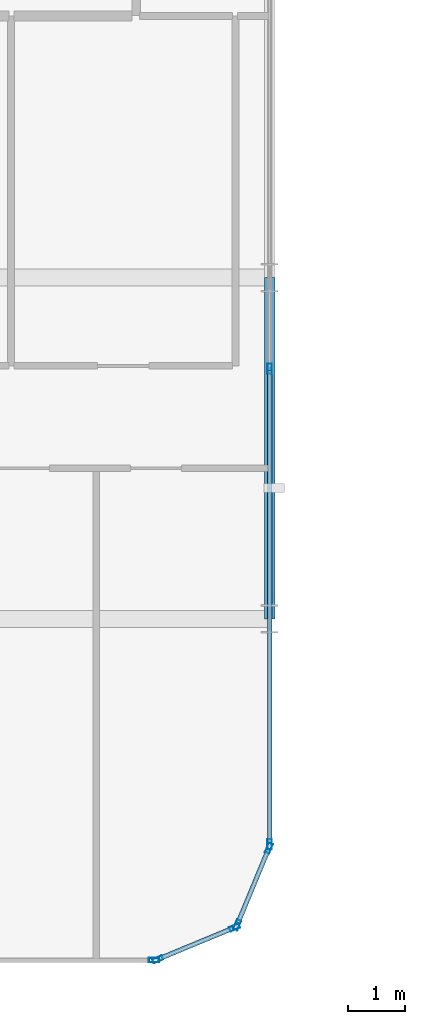
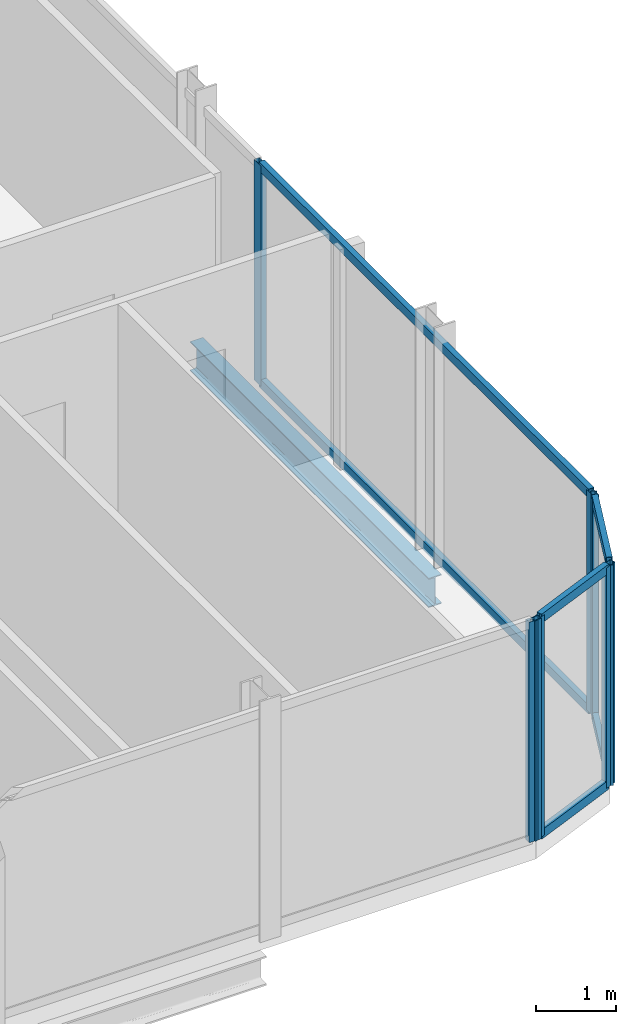
# One storey, part 11 of 31: 13 members, 1 beam, 4 elements without a shape of their own.
"""IFC4 building model written with IfcOpenShell, lengths in metres."""

from ifc_helpers import new_model, si_unit, direction, frame, origin, origin_2d, place, context, subcontext, project, spatial, hollow_rectangle, i_section, extrude, material, layer, layer_set, material_profile, profile_set, type_object, element, aggregate, save


model = new_model("IFC4")

# Units and contexts
model_context = context("Model", 3, precision=1e-05, world=origin(), true_north=direction((0.0, 1.0)))
body_context = subcontext(model_context, "Body", "Model", "MODEL_VIEW")
ifc_project = project(units=[si_unit("LENGTHUNIT", "METRE"), si_unit("AREAUNIT", "SQUARE_METRE"), si_unit("VOLUMEUNIT", "CUBIC_METRE"), si_unit("PLANEANGLEUNIT", "RADIAN"), si_unit("MASSUNIT", "GRAM", prefix="KILO")], contexts=[model_context])

# Site, building, storey
site_placement = place(None, origin())
site = spatial("IfcSite", under=ifc_project, at=site_placement, CompositionType="ELEMENT")
building_placement = place(site_placement, origin())
building = spatial("IfcBuilding", under=site, at=building_placement, Name="Keshet Zoharim Tower", CompositionType="ELEMENT")
storey_placement = place(building_placement, frame((0.0, 0.0, 140.89990234375)))
storey = spatial("IfcBuildingStorey", under=building, at=storey_placement, Name="L34", CompositionType="ELEMENT", Elevation=140.89990234375)

# Beam
ifc_material_1 = material(Name="Steel S355", Category="steel")
ifc_material_profile_1 = material_profile(ifc_material_1, i_section(OverallWidth=0.18994140625, OverallDepth=0.449951171875, WebThickness=0.009521484375, FlangeThickness=0.0146484375, FilletRadius=0.02099609375, at=origin_2d()), Name="IPE450")
ifc_profile_set_1 = profile_set([ifc_material_profile_1], Name="Steel S355")
beam_type = type_object("IfcBeamType", Name="BM-PRI-IP450", PredefinedType="BEAM", material=ifc_profile_set_1)
beam_placement = place(storey_placement, frame((57.0, 6.699951171875, -0.539794921875), z_axis=(0.0, 1.0, 0.0), x_axis=(-1.0, 0.0, 0.0)))
element("IfcBeam", 1, at=beam_placement, inside=storey, type_object=beam_type, Name="L34 Primary Girder Y-013", PredefinedType="BEAM", context=body_context, shape_type="SweptSolid", body=[
    extrude(i_section(OverallWidth=0.18994140625, OverallDepth=0.449951171875, WebThickness=0.009521484375, FlangeThickness=0.0146484375, FilletRadius=0.02099609375, at=origin_2d()), origin(), (0.0, 0.0, 1.0), 6.0),
])

# Curtain wall, members
ifc_material_2 = material(Name="Aluminium 6063-T6", Category="aluminium")
ifc_layer = layer(ifc_material_2, 0.159912109375)
ifc_layer_set = layer_set([ifc_layer], Name="Aluminium 6063-T6")
curtain_wall_type = type_object("IfcCurtainWallType", Name="CW-SYS-03", PredefinedType="NOTDEFINED", material=ifc_layer_set)
curtain_wall_1_placement = place(storey_placement, origin())
curtain_wall_1 = element("IfcCurtainWall", 2, at=curtain_wall_1_placement, inside=storey, type_object=curtain_wall_type, Name="L34 Unitised Curtain Wall 01", PredefinedType="NOTDEFINED")
ifc_material_profile_2 = material_profile(ifc_material_2, hollow_rectangle(XDim=0.080078125, YDim=0.179931640625, WallThickness=0.00439453125, at=origin_2d()), Name="MUL-80x180")
ifc_profile_set_2 = profile_set([ifc_material_profile_2], Name="Aluminium 6063-T6")
member_type_1 = type_object("IfcMemberType", Name="CWM-M18", PredefinedType="MULLION", material=ifc_profile_set_2)
member_1_placement = place(storey_placement, frame((56.986572265625, 2.667724609375, 0.0), z_axis=(0.0, 0.0, 1.0), x_axis=(0.92380975372, -0.382851849847, 0.0)))
member_1 = element("IfcMember", 3, at=member_1_placement, type_object=member_type_1, Name="CW-03 mullion 1", PredefinedType="MULLION", context=body_context, shape_type="SweptSolid", body=[
    extrude(hollow_rectangle(XDim=0.080078125, YDim=0.179931640625, WallThickness=0.00439453125, at=origin_2d()), origin(), (0.0, 0.0, 1.0), 3.385009765625),
])
member_2_placement = place(storey_placement, frame((56.427490234375, 1.318359375, 0.0), z_axis=(0.0, 0.0, 1.0), x_axis=(0.92380975372, -0.382851849847, 0.0)))
member_2 = element("IfcMember", 4, at=member_2_placement, type_object=member_type_1, Name="CW-03 mullion 2", PredefinedType="MULLION", context=body_context, shape_type="SweptSolid", body=[
    extrude(hollow_rectangle(XDim=0.080078125, YDim=0.179931640625, WallThickness=0.00439453125, at=origin_2d()), origin(), (0.0, 0.0, 1.0), 3.385009765625),
])

curtain_wall_2_placement = place(storey_placement, origin())
curtain_wall_2 = element("IfcCurtainWall", 5, at=curtain_wall_2_placement, inside=storey, type_object=curtain_wall_type, Name="L34 Unitised Curtain Wall 02", PredefinedType="NOTDEFINED")
member_3_placement = place(storey_placement, frame((56.381591796875, 1.272705078125, 0.0), z_axis=(0.0, 0.0, 1.0), x_axis=(0.382851849847, -0.92380975372, 0.0)))
member_3 = element("IfcMember", 6, at=member_3_placement, type_object=member_type_1, Name="CW-03 mullion 1", PredefinedType="MULLION", context=body_context, shape_type="SweptSolid", body=[
    extrude(hollow_rectangle(XDim=0.080078125, YDim=0.179931640625, WallThickness=0.00439453125, at=origin_2d()), origin(), (0.0, 0.0, 1.0), 3.385009765625),
])
member_4_placement = place(storey_placement, frame((55.0322265625, 0.71337890625, 0.0), z_axis=(0.0, 0.0, 1.0), x_axis=(0.382851849847, -0.92380975372, 0.0)))
member_4 = element("IfcMember", 7, at=member_4_placement, type_object=member_type_1, Name="CW-03 mullion 2", PredefinedType="MULLION", context=body_context, shape_type="SweptSolid", body=[
    extrude(hollow_rectangle(XDim=0.080078125, YDim=0.179931640625, WallThickness=0.00439453125, at=origin_2d()), origin(), (0.0, 0.0, 1.0), 3.385009765625),
])

# Curtain wall, member
curtain_wall_3_placement = place(storey_placement, origin())
curtain_wall_3 = element("IfcCurtainWall", 8, at=curtain_wall_3_placement, inside=storey, type_object=curtain_wall_type, Name="L34 Unitised Curtain Wall 03", PredefinedType="NOTDEFINED")
member_5_placement = place(storey_placement, frame((54.965087890625, 0.699951171875, 0.0), z_axis=(0.0, 0.0, 1.0), x_axis=(0.0, -1.0, 0.0)))
member_5 = element("IfcMember", 9, at=member_5_placement, type_object=member_type_1, Name="CW-03 mullion 1", PredefinedType="MULLION", context=body_context, shape_type="SweptSolid", body=[
    extrude(hollow_rectangle(XDim=0.080078125, YDim=0.179931640625, WallThickness=0.00439453125, at=origin_2d()), origin(), (0.0, 0.0, 1.0), 3.385009765625),
])
aggregate(curtain_wall_3, [member_5])

# Curtain wall, members
curtain_wall_4_placement = place(storey_placement, origin())
curtain_wall_4 = element("IfcCurtainWall", 10, at=curtain_wall_4_placement, inside=storey, type_object=curtain_wall_type, Name="L34 Unitised Curtain Wall 19", PredefinedType="NOTDEFINED")
member_6_placement = place(storey_placement, frame((57.0, 11.10009765625, 0.0), z_axis=(0.0, 0.0, 1.0), x_axis=(1.0, 0.0, 0.0)))
member_6 = element("IfcMember", 11, at=member_6_placement, type_object=member_type_1, Name="CW-03 mullion 3", PredefinedType="MULLION", context=body_context, shape_type="SweptSolid", body=[
    extrude(hollow_rectangle(XDim=0.080078125, YDim=0.179931640625, WallThickness=0.00439453125, at=origin_2d()), origin(), (0.0, 0.0, 1.0), 3.385009765625),
])
member_7_placement = place(storey_placement, frame((57.0, 2.735107421875, 0.0), z_axis=(0.0, 0.0, 1.0), x_axis=(1.0, 0.0, 0.0)))
member_7 = element("IfcMember", 12, at=member_7_placement, type_object=member_type_1, Name="CW-03 mullion 4", PredefinedType="MULLION", context=body_context, shape_type="SweptSolid", body=[
    extrude(hollow_rectangle(XDim=0.080078125, YDim=0.179931640625, WallThickness=0.00439453125, at=origin_2d()), origin(), (0.0, 0.0, 1.0), 3.385009765625),
])

# Member
ifc_material_profile_3 = material_profile(ifc_material_2, hollow_rectangle(XDim=0.080078125, YDim=0.139892578125, WallThickness=0.00390625, at=origin_2d()), Name="TRN-80x140")
ifc_profile_set_3 = profile_set([ifc_material_profile_3], Name="Aluminium 6063-T6")
member_type_2 = type_object("IfcMemberType", Name="CWT-T14", PredefinedType="USERDEFINED", material=ifc_profile_set_3)
member_8_placement = place(storey_placement, frame((56.97314453125, 2.63525390625, 0.03515625), z_axis=(-0.382744609247, -0.923854189844, 0.0), x_axis=(0.923854189844, -0.382744609247, 0.0)))
member_8 = element("IfcMember", 13, at=member_8_placement, type_object=member_type_2, Name="CW-03 transom 1.1", ObjectType="TRANSOM", PredefinedType="USERDEFINED", context=body_context, shape_type="SweptSolid", body=[
    extrude(hollow_rectangle(XDim=0.080078125, YDim=0.139892578125, WallThickness=0.00390625, at=origin_2d()), origin(), (0.0, 0.0, 1.0), 1.390625),
])

member_9_placement = place(storey_placement, frame((56.97314453125, 2.63525390625, 3.35009765625), z_axis=(-0.382744609247, -0.923854189844, 0.0), x_axis=(0.923854189844, -0.382744609247, 0.0)))
member_9 = element("IfcMember", 14, at=member_9_placement, type_object=member_type_2, Name="CW-03 transom 1.2", ObjectType="TRANSOM", PredefinedType="USERDEFINED", context=body_context, shape_type="SweptSolid", body=[
    extrude(hollow_rectangle(XDim=0.080078125, YDim=0.139892578125, WallThickness=0.00390625, at=origin_2d()), origin(), (0.0, 0.0, 1.0), 1.390625),
])

aggregate(curtain_wall_1, [member_1, member_2, member_8, member_9])

member_10_placement = place(storey_placement, frame((56.349365234375, 1.25927734375, 0.03515625), z_axis=(-0.92379209995, -0.382894445076, 0.0), x_axis=(0.382894445076, -0.92379209995, 0.0)))
member_10 = element("IfcMember", 15, at=member_10_placement, type_object=member_type_2, Name="CW-03 transom 1.1", ObjectType="TRANSOM", PredefinedType="USERDEFINED", context=body_context, shape_type="SweptSolid", body=[
    extrude(hollow_rectangle(XDim=0.080078125, YDim=0.139892578125, WallThickness=0.00390625, at=origin_2d()), origin(), (0.0, 0.0, 1.0), 1.390625),
])

member_11_placement = place(storey_placement, frame((56.349365234375, 1.25927734375, 3.35009765625), z_axis=(-0.92379209995, -0.382894445076, 0.0), x_axis=(0.382894445076, -0.92379209995, 0.0)))
member_11 = element("IfcMember", 16, at=member_11_placement, type_object=member_type_2, Name="CW-03 transom 1.2", ObjectType="TRANSOM", PredefinedType="USERDEFINED", context=body_context, shape_type="SweptSolid", body=[
    extrude(hollow_rectangle(XDim=0.080078125, YDim=0.139892578125, WallThickness=0.00390625, at=origin_2d()), origin(), (0.0, 0.0, 1.0), 1.390625),
])

aggregate(curtain_wall_2, [member_3, member_4, member_10, member_11])

member_12_placement = place(storey_placement, frame((57.0, 11.06494140625, 0.03515625), z_axis=(0.0, -1.0, 0.0), x_axis=(1.0, 0.0, 0.0)))
member_12 = element("IfcMember", 17, at=member_12_placement, type_object=member_type_2, Name="CW-03 transom 3.1", ObjectType="TRANSOM", PredefinedType="USERDEFINED", context=body_context, shape_type="SweptSolid", body=[
    extrude(hollow_rectangle(XDim=0.080078125, YDim=0.139892578125, WallThickness=0.00390625, at=origin_2d()), origin(), (0.0, 0.0, 1.0), 8.294921875),
])

member_13_placement = place(storey_placement, frame((57.0, 11.06494140625, 3.35009765625), z_axis=(0.0, -1.0, 0.0), x_axis=(1.0, 0.0, 0.0)))
member_13 = element("IfcMember", 18, at=member_13_placement, type_object=member_type_2, Name="CW-03 transom 3.2", ObjectType="TRANSOM", PredefinedType="USERDEFINED", context=body_context, shape_type="SweptSolid", body=[
    extrude(hollow_rectangle(XDim=0.080078125, YDim=0.139892578125, WallThickness=0.00390625, at=origin_2d()), origin(), (0.0, 0.0, 1.0), 8.294921875),
])

aggregate(curtain_wall_4, [member_6, member_7, member_12, member_13])

save(model, "model.ifc")
